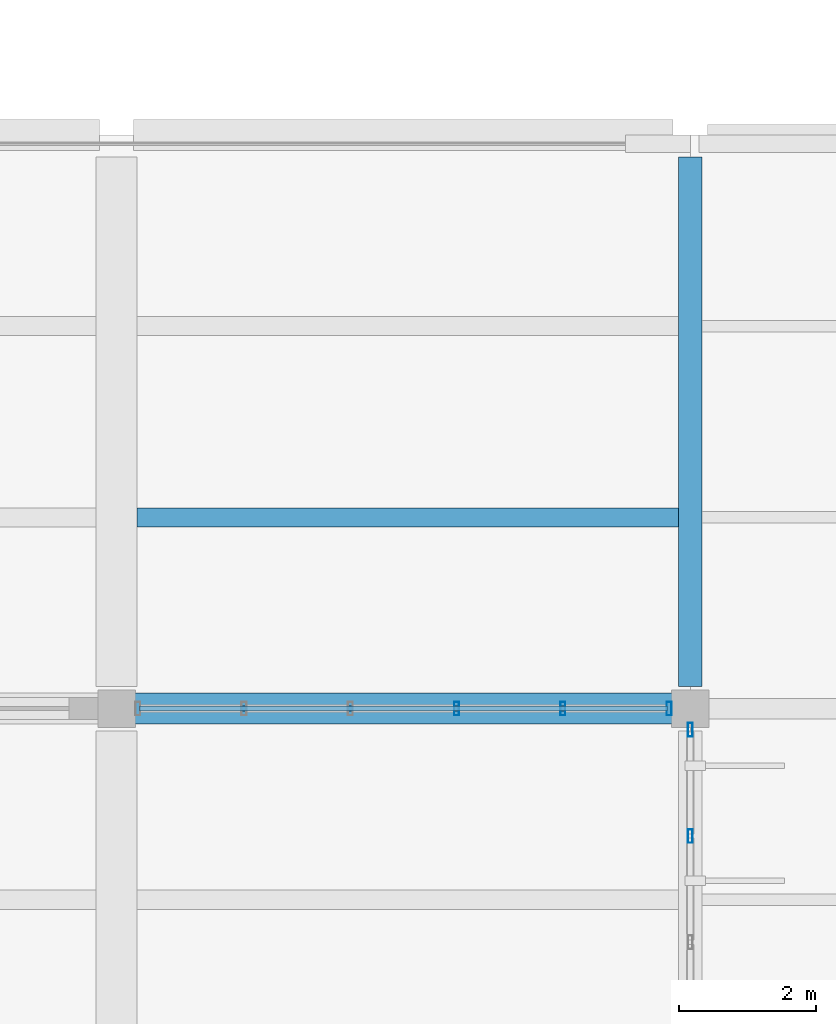
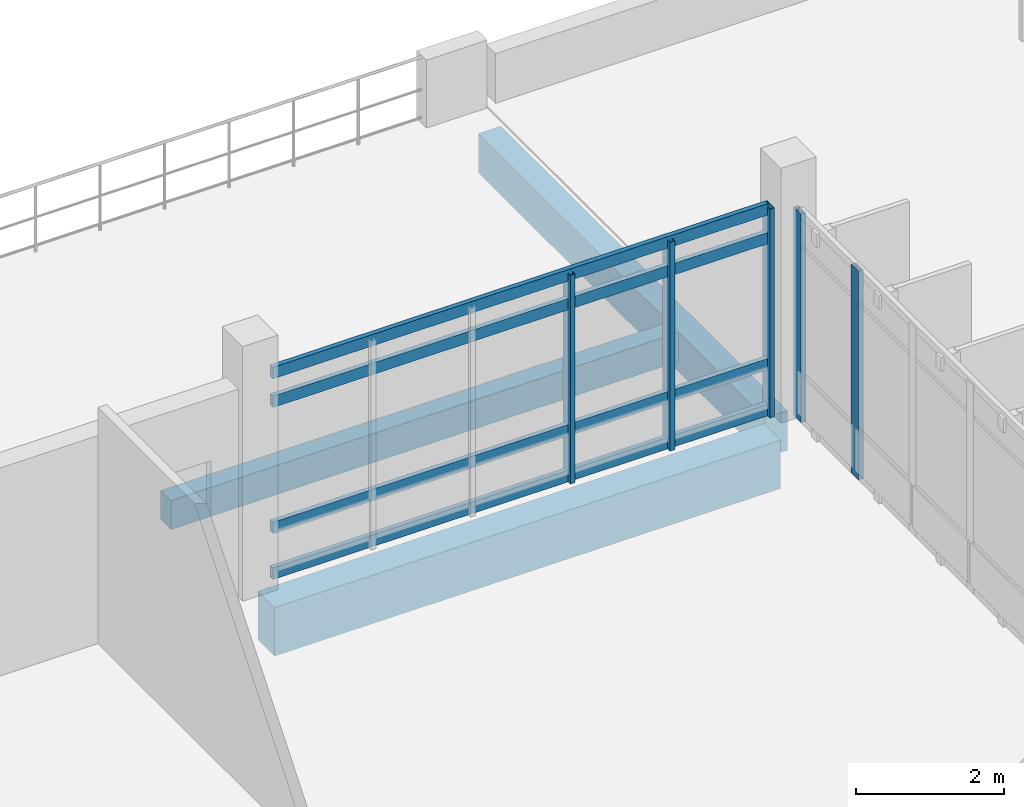
# One storey, part 89 of 130: 9 members, 3 beams, 2 elements without a shape of their own.
"""IFC4 building model written with IfcOpenShell, lengths in metres."""

from ifc_helpers import new_model, si_unit, direction, frame, origin, origin_2d, place, context, subcontext, project, spatial, rectangle, hollow_rectangle, extrude, material, layer, layer_set, material_profile, profile_set, type_object, element, aggregate, save


model = new_model("IFC4")

# Units and contexts
model_context = context("Model", 3, precision=1e-05, world=origin(), true_north=direction((0.0, 1.0)))
body_context = subcontext(model_context, "Body", "Model", "MODEL_VIEW")
ifc_project = project(units=[si_unit("LENGTHUNIT", "METRE"), si_unit("AREAUNIT", "SQUARE_METRE"), si_unit("VOLUMEUNIT", "CUBIC_METRE"), si_unit("PLANEANGLEUNIT", "RADIAN"), si_unit("MASSUNIT", "GRAM", prefix="KILO")], contexts=[model_context])

# Site, building, storey
site_placement = place(None, origin())
site = spatial("IfcSite", under=ifc_project, at=site_placement, CompositionType="ELEMENT")
building_placement = place(site_placement, origin())
building = spatial("IfcBuilding", under=site, at=building_placement, Name="Vireocrest Preparatory School", CompositionType="ELEMENT")
storey_placement = place(building_placement, frame((0.0, 0.0, 9.0)))
storey = spatial("IfcBuildingStorey", under=building, at=storey_placement, Name="L02", CompositionType="ELEMENT", Elevation=9.0)

# Curtain wall, members
ifc_material_1 = material(Name="Thermally broken aluminium EN AW-6063-T6", Category="aluminium")
ifc_layer_1 = layer(ifc_material_1, 0.179931640625)
ifc_layer_set_1 = layer_set([ifc_layer_1], Name="Thermally broken aluminium EN AW-6063-T6")
curtain_wall_type_1 = type_object("IfcCurtainWallType", Name="Library Reading Bay Glazing 7600x4200", PredefinedType="USERDEFINED", material=ifc_layer_set_1)
curtain_wall_1_placement = place(storey_placement, origin())
curtain_wall_1 = element("IfcCurtainWall", 1, at=curtain_wall_1_placement, inside=storey, type_object=curtain_wall_type_1, Name="Curtain Wall CW16 CW_L02_CW16_1262_0354_090", ObjectType="CURTAIN WALL", PredefinedType="USERDEFINED")
ifc_material_profile_1 = material_profile(ifc_material_1, hollow_rectangle(XDim=0.074951171875, YDim=0.199951171875, WallThickness=0.0048828125, at=origin_2d()), Name="ALU 75x200x5")
ifc_profile_set_1 = profile_set([ifc_material_profile_1], Name="Thermally broken aluminium EN AW-6063-T6")
member_type_1 = type_object("IfcMemberType", Name="CW Mullion 75x200x5", PredefinedType="MULLION", material=ifc_profile_set_1)
member_1_placement = place(storey_placement, frame((130.97802734375, 35.39990234375, 0.0), z_axis=(0.0, 0.0, 1.0), x_axis=(1.0, 0.0, 0.0)))
member_1 = element("IfcMember", 2, at=member_1_placement, type_object=member_type_1, Name="CW Mullion ML3 CW_L02_CW16_1262_0354_090-4", PredefinedType="MULLION", context=body_context, shape_type="SweptSolid", body=[
    extrude(hollow_rectangle(XDim=0.074951171875, YDim=0.199951171875, WallThickness=0.0048828125, at=origin_2d()), origin(), (0.0, 0.0, 1.0), 3.445068359375),
])
member_2_placement = place(storey_placement, frame((132.533935546875, 35.39990234375, 0.0), z_axis=(0.0, 0.0, 1.0), x_axis=(1.0, 0.0, 0.0)))
member_2 = element("IfcMember", 3, at=member_2_placement, type_object=member_type_1, Name="CW Mullion ML3 CW_L02_CW16_1262_0354_090-5", PredefinedType="MULLION", context=body_context, shape_type="SweptSolid", body=[
    extrude(hollow_rectangle(XDim=0.074951171875, YDim=0.199951171875, WallThickness=0.0048828125, at=origin_2d()), origin(), (0.0, 0.0, 1.0), 3.445068359375),
])
member_3_placement = place(storey_placement, frame((134.090087890625, 35.39990234375, 0.0), z_axis=(0.0, 0.0, 1.0), x_axis=(1.0, 0.0, 0.0)))
member_3 = element("IfcMember", 4, at=member_3_placement, type_object=member_type_1, Name="CW Mullion ML3 CW_L02_CW16_1262_0354_090-6", PredefinedType="MULLION", context=body_context, shape_type="SweptSolid", body=[
    extrude(hollow_rectangle(XDim=0.074951171875, YDim=0.199951171875, WallThickness=0.0048828125, at=origin_2d()), origin(), (0.0, 0.0, 1.0), 3.445068359375),
])

ifc_layer_2 = layer(ifc_material_1, 0.179931640625)
ifc_layer_set_2 = layer_set([ifc_layer_2], Name="Thermally broken aluminium EN AW-6063-T6")
curtain_wall_type_2 = type_object("IfcCurtainWallType", Name="Teaching Fin Curtain Wall 8400x4200", PredefinedType="USERDEFINED", material=ifc_layer_set_2)
curtain_wall_2_placement = place(storey_placement, origin())
curtain_wall_2 = element("IfcCurtainWall", 5, at=curtain_wall_2_placement, inside=storey, type_object=curtain_wall_type_2, Name="Curtain Wall CW03 CW_L02_CW03_1344_0272_090", ObjectType="CURTAIN WALL", PredefinedType="USERDEFINED")
member_4_placement = place(storey_placement, frame((134.39990234375, 33.533935546875, 0.0), z_axis=(0.0, 0.0, 1.0), x_axis=(1.0, 0.0, 0.0)))
member_4 = element("IfcMember", 6, at=member_4_placement, type_object=member_type_1, Name="CW Mullion ML3 CW_L02_CW03_1344_0272_090-5", PredefinedType="MULLION", context=body_context, shape_type="SweptSolid", body=[
    extrude(hollow_rectangle(XDim=0.074951171875, YDim=0.199951171875, WallThickness=0.0048828125, at=origin_2d()), origin(), (0.0, 0.0, 1.0), 3.445068359375),
])
member_5_placement = place(storey_placement, frame((134.39990234375, 35.090087890625, 0.0), z_axis=(0.0, 0.0, 1.0), x_axis=(1.0, 0.0, 0.0)))
member_5 = element("IfcMember", 7, at=member_5_placement, type_object=member_type_1, Name="CW Mullion ML3 CW_L02_CW03_1344_0272_090-6", PredefinedType="MULLION", context=body_context, shape_type="SweptSolid", body=[
    extrude(hollow_rectangle(XDim=0.074951171875, YDim=0.199951171875, WallThickness=0.0048828125, at=origin_2d()), origin(), (0.0, 0.0, 1.0), 3.445068359375),
])
aggregate(curtain_wall_2, [member_4, member_5])

# Member
ifc_material_profile_2 = material_profile(ifc_material_1, hollow_rectangle(XDim=0.074951171875, YDim=0.18994140625, WallThickness=0.00390625, at=origin_2d()), Name="ALU 75x190x4")
ifc_profile_set_2 = profile_set([ifc_material_profile_2], Name="Thermally broken aluminium EN AW-6063-T6")
member_type_2 = type_object("IfcMemberType", Name="CW Transom 75x190x4", PredefinedType="USERDEFINED", material=ifc_profile_set_2)
member_6_placement = place(storey_placement, frame((126.3349609375, 35.39990234375, 0.094970703125), z_axis=(1.0, 0.0, 0.0), x_axis=(0.0, 1.0, 0.0)))
member_6 = element("IfcMember", 8, at=member_6_placement, type_object=member_type_2, Name="CW Transom TR3 CW_L02_CW16_1262_0354_090-1", ObjectType="TRANSOM", PredefinedType="USERDEFINED", context=body_context, shape_type="SweptSolid", body=[
    extrude(hollow_rectangle(XDim=0.074951171875, YDim=0.18994140625, WallThickness=0.00390625, at=origin_2d()), origin(), (0.0, 0.0, 1.0), 7.72998046875),
])

member_7_placement = place(storey_placement, frame((126.3349609375, 35.39990234375, 0.85009765625), z_axis=(1.0, 0.0, 0.0), x_axis=(0.0, 1.0, 0.0)))
member_7 = element("IfcMember", 9, at=member_7_placement, type_object=member_type_2, Name="CW Transom TR3 CW_L02_CW16_1262_0354_090-2", ObjectType="TRANSOM", PredefinedType="USERDEFINED", context=body_context, shape_type="SweptSolid", body=[
    extrude(hollow_rectangle(XDim=0.074951171875, YDim=0.18994140625, WallThickness=0.00390625, at=origin_2d()), origin(), (0.0, 0.0, 1.0), 7.72998046875),
])

member_8_placement = place(storey_placement, frame((126.3349609375, 35.39990234375, 2.929931640625), z_axis=(1.0, 0.0, 0.0), x_axis=(0.0, 1.0, 0.0)))
member_8 = element("IfcMember", 10, at=member_8_placement, type_object=member_type_2, Name="CW Transom TR3 CW_L02_CW16_1262_0354_090-3", ObjectType="TRANSOM", PredefinedType="USERDEFINED", context=body_context, shape_type="SweptSolid", body=[
    extrude(hollow_rectangle(XDim=0.074951171875, YDim=0.18994140625, WallThickness=0.00390625, at=origin_2d()), origin(), (0.0, 0.0, 1.0), 7.72998046875),
])

member_9_placement = place(storey_placement, frame((126.3349609375, 35.39990234375, 3.405029296875), z_axis=(1.0, 0.0, 0.0), x_axis=(0.0, 1.0, 0.0)))
member_9 = element("IfcMember", 11, at=member_9_placement, type_object=member_type_2, Name="CW Transom TR3 CW_L02_CW16_1262_0354_090-4", ObjectType="TRANSOM", PredefinedType="USERDEFINED", context=body_context, shape_type="SweptSolid", body=[
    extrude(hollow_rectangle(XDim=0.074951171875, YDim=0.18994140625, WallThickness=0.00390625, at=origin_2d()), origin(), (0.0, 0.0, 1.0), 7.72998046875),
])

aggregate(curtain_wall_1, [member_1, member_2, member_3, member_6, member_7, member_8, member_9])

# Beams
ifc_material_2 = material(Name="Concrete 40 MPa", Category="concrete")
ifc_material_profile_3 = material_profile(ifc_material_2, rectangle(XDim=0.35009765625, YDim=0.64990234375, at=origin_2d()), Name="RC 350x650")
ifc_profile_set_3 = profile_set([ifc_material_profile_3], Name="Concrete 40 MPa")
beam_type_1 = type_object("IfcBeamType", Name="RC Classroom Girder 350x650", PredefinedType="BEAM", material=ifc_profile_set_3)
beam_1_placement = place(storey_placement, frame((134.39990234375, 35.72509765625, -0.64501953125), z_axis=(0.0, 1.0, 0.0), x_axis=(-1.0, 0.0, 0.0)))
element("IfcBeam", 12, at=beam_1_placement, inside=storey, type_object=beam_type_1, Name="Primary Girder B05 L02-0880", PredefinedType="BEAM", context=body_context, shape_type="SweptSolid", body=[
    extrude(rectangle(XDim=0.35009765625, YDim=0.64990234375, at=origin_2d()), origin(), (0.0, 0.0, 1.0), 7.75),
])
ifc_material_profile_4 = material_profile(ifc_material_2, rectangle(XDim=0.449951171875, YDim=0.800048828125, at=origin_2d()), Name="RC 450x800")
ifc_profile_set_4 = profile_set([ifc_material_profile_4], Name="Concrete 40 MPa")
beam_type_2 = type_object("IfcBeamType", Name="RC Library Stack Girder 450x800", PredefinedType="BEAM", material=ifc_profile_set_4)
beam_2_placement = place(storey_placement, frame((126.25, 35.39990234375, -0.719970703125), z_axis=(1.0, 0.0, 0.0), x_axis=(0.0, 1.0, 0.0)))
element("IfcBeam", 13, at=beam_2_placement, inside=storey, type_object=beam_type_2, Name="Primary Girder B12 L02-0712", PredefinedType="BEAM", context=body_context, shape_type="SweptSolid", body=[
    extrude(rectangle(XDim=0.449951171875, YDim=0.800048828125, at=origin_2d()), origin(), (0.0, 0.0, 1.0), 7.89990234375),
])
ifc_material_profile_5 = material_profile(ifc_material_2, rectangle(XDim=0.280029296875, YDim=0.47998046875, at=origin_2d()), Name="RC 280x480")
ifc_profile_set_5 = profile_set([ifc_material_profile_5], Name="Concrete 40 MPa")
beam_type_3 = type_object("IfcBeamType", Name="RC Secondary Lab Joist 280x480", PredefinedType="JOIST", material=ifc_profile_set_5)
beam_3_placement = place(storey_placement, frame((126.300048828125, 38.199951171875, -0.56005859375), z_axis=(1.0, 0.0, 0.0), x_axis=(0.0, 1.0, 0.0)))
element("IfcBeam", 14, at=beam_3_placement, inside=storey, type_object=beam_type_3, Name="Secondary Joist J02 L02-1024", PredefinedType="JOIST", context=body_context, shape_type="SweptSolid", body=[
    extrude(rectangle(XDim=0.280029296875, YDim=0.47998046875, at=origin_2d()), origin(), (0.0, 0.0, 1.0), 7.925048828125),
])

save(model, "model.ifc")
